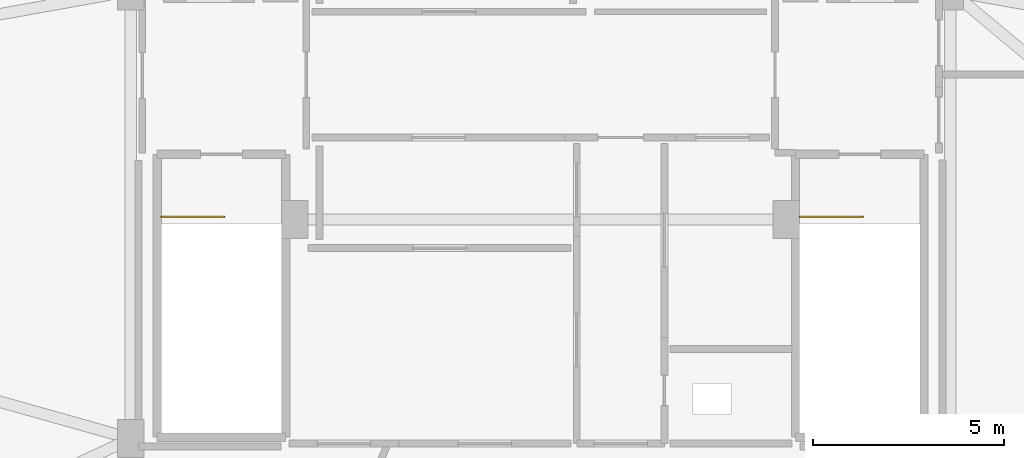
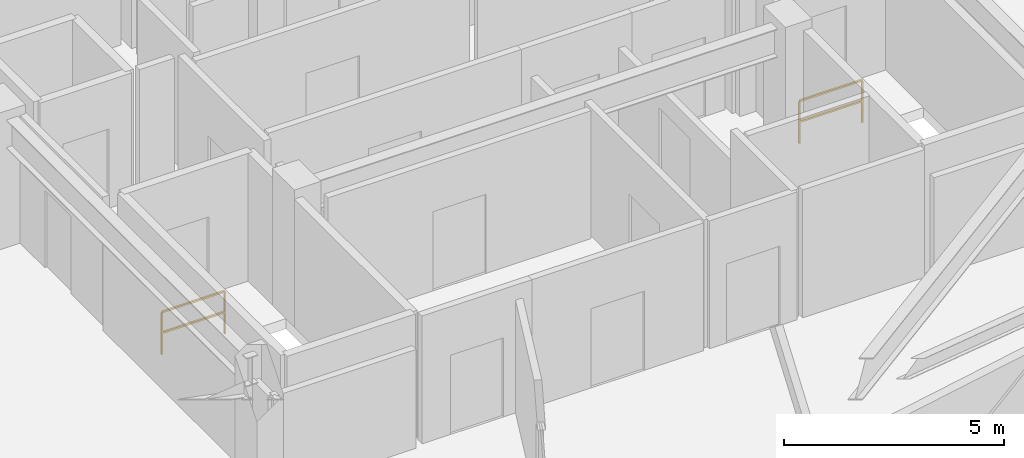
# One storey, part 28 of 28: 2 railings.
"""IFC4 building model written with IfcOpenShell, lengths in metres."""

from ifc_helpers import new_model, si_unit, direction, frame, origin, origin_2d, place, context, subcontext, project, spatial, rectangle, extrude, material, type_object, element, save


model = new_model("IFC4")

# Units and contexts
model_context = context("Model", 3, precision=1e-05, world=origin(), true_north=direction((0.0, 1.0)))
body_context = subcontext(model_context, "Body", "Model", "MODEL_VIEW")
ifc_project = project(units=[si_unit("LENGTHUNIT", "METRE"), si_unit("AREAUNIT", "SQUARE_METRE"), si_unit("VOLUMEUNIT", "CUBIC_METRE"), si_unit("PLANEANGLEUNIT", "RADIAN"), si_unit("MASSUNIT", "GRAM", prefix="KILO")], contexts=[model_context])

# Site, building, storey
site_placement = place(None, origin())
site = spatial("IfcSite", under=ifc_project, at=site_placement, CompositionType="ELEMENT")
building_placement = place(site_placement, origin())
building = spatial("IfcBuilding", under=site, at=building_placement, Name="Vorneva Point Tower", CompositionType="ELEMENT")
storey_placement = place(building_placement, frame((0.0, 0.0, 295.39990234375)))
storey = spatial("IfcBuildingStorey", under=building, at=storey_placement, Name="C01", CompositionType="ELEMENT", Elevation=295.39990234375)

# Railings
ifc_material = material(Name="Brushed stainless steel S304", Category="steel")
railing_type = type_object("IfcRailingType", Name="RL-STG-1100", PredefinedType="GUARDRAIL", material=ifc_material)
for number, where, name in (
    (1, (28.050048828125, 22.27001953125, 0.0), "C01 ST1 top well guard 1"),
    (2, (44.800048828125, 22.27001953125, 0.0), "C01 ST2 top well guard 1"),
):
    element("IfcRailing", number, at=place(storey_placement, frame(where)), inside=storey, type_object=railing_type, Name=name, PredefinedType="GUARDRAIL", context=body_context, shape_type="SweptSolid", body=[
        extrude(rectangle(XDim=0.048095703125, YDim=0.048095703125, at=origin_2d()), frame((0.0, 0.0, 1.17578125), z_axis=(1.0, 0.0, 0.0), x_axis=(0.0, 1.0, 0.0)), (0.0, 0.0, 1.0), 1.64990234375),
        extrude(rectangle(XDim=0.048095703125, YDim=0.048095703125, at=origin_2d()), frame((0.0, 0.0, 0.60009765625), z_axis=(1.0, 0.0, 0.0), x_axis=(0.0, 1.0, 0.0)), (0.0, 0.0, 1.0), 1.64990234375),
        extrude(rectangle(XDim=0.0419921875, YDim=0.0419921875, at=origin_2d()), origin(), (0.0, 0.0, 1.0), 1.15185546875),
        extrude(rectangle(XDim=0.0419921875, YDim=0.0419921875, at=origin_2d()), frame((1.64990234375, 0.0, 0.0)), (0.0, 0.0, 1.0), 1.15185546875),
    ])

save(model, "model.ifc")
